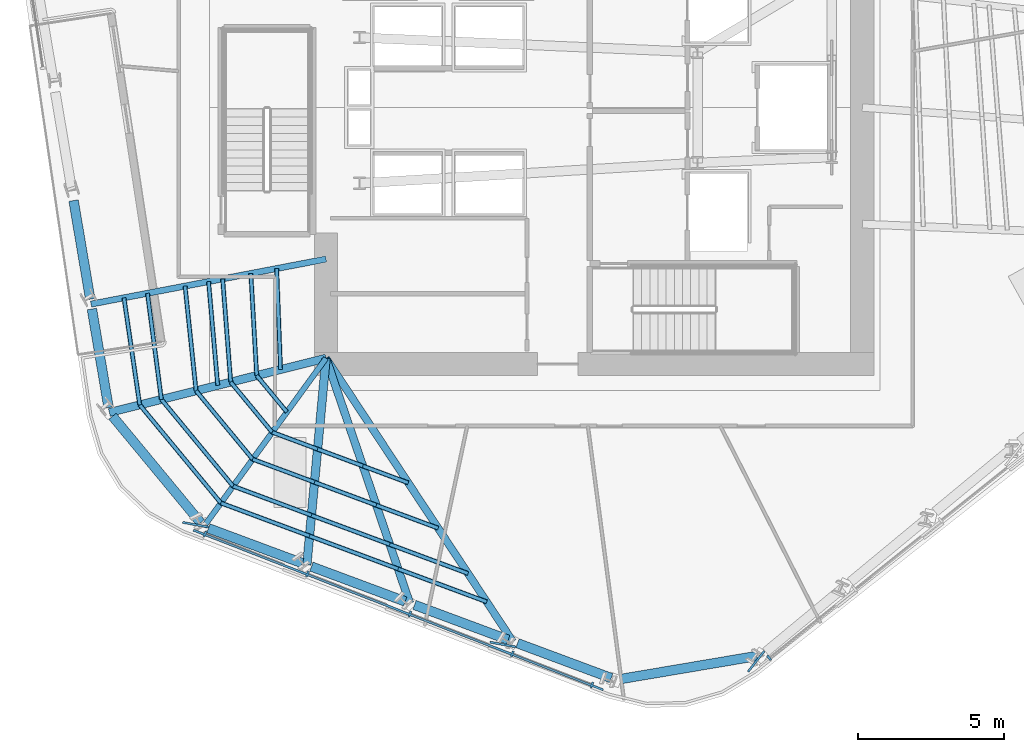
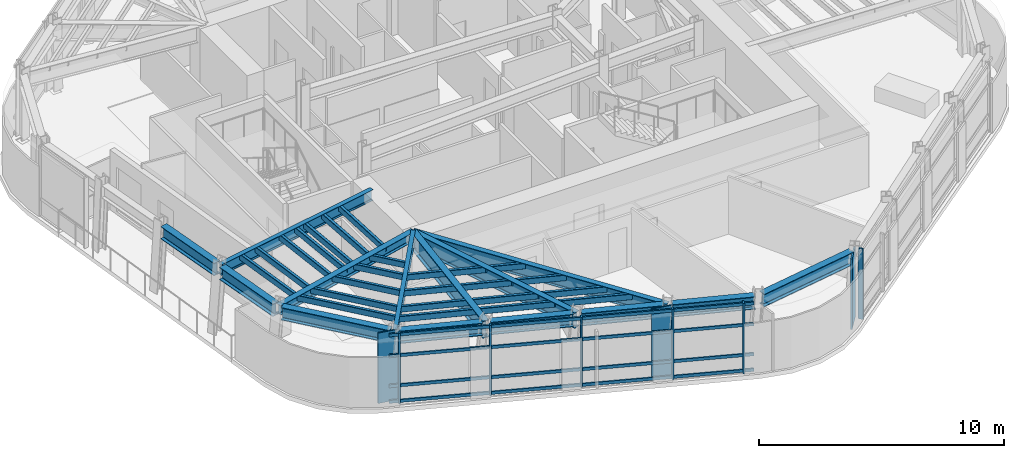
# One storey, part 2 of 15: 37 members, 14 beams, 2 elements without a shape of their own.
"""IFC4 building model written with IfcOpenShell, lengths in metres."""

from ifc_helpers import new_model, si_unit, direction, frame, origin, origin_2d, place, context, subcontext, project, spatial, rectangle, hollow_rectangle, i_section, extrude, material, layer, layer_set, material_profile, profile_set, type_object, element, aggregate, save


model = new_model("IFC4")

# Units and contexts
model_context = context("Model", 3, precision=1e-05, world=origin(), true_north=direction((0.0, 1.0)))
body_context = subcontext(model_context, "Body", "Model", "MODEL_VIEW")
ifc_project = project(units=[si_unit("LENGTHUNIT", "METRE"), si_unit("AREAUNIT", "SQUARE_METRE"), si_unit("VOLUMEUNIT", "CUBIC_METRE"), si_unit("PLANEANGLEUNIT", "RADIAN"), si_unit("MASSUNIT", "GRAM", prefix="KILO")], contexts=[model_context])

# Site, building, storey
site_placement = place(None, origin())
site = spatial("IfcSite", under=ifc_project, at=site_placement, CompositionType="ELEMENT")
building_placement = place(site_placement, origin())
building = spatial("IfcBuilding", under=site, at=building_placement, Name="Valkerne Bourse Tower", CompositionType="ELEMENT")
storey_placement = place(building_placement, frame((0.0, 0.0, 189.39990234375)))
storey = spatial("IfcBuildingStorey", under=building, at=storey_placement, Name="L48", CompositionType="ELEMENT", Elevation=189.39990234375)

# Beams
ifc_material_1 = material(Name="Steel ASTM A992", Category="steel")
ifc_material_profile_1 = material_profile(ifc_material_1, i_section(OverallWidth=0.1904296875, OverallDepth=0.457275390625, WebThickness=0.009033203125, FlangeThickness=0.014404296875, FilletRadius=0.01513671875, at=origin_2d()), Name="W18X50")
ifc_profile_set_1 = profile_set([ifc_material_profile_1], Name="Steel ASTM A992")
beam_type_1 = type_object("IfcBeamType", Name="BM-W18X50", PredefinedType="JOIST", material=ifc_profile_set_1)
beam_1_placement = place(storey_placement, frame((33.40673828125, 12.62353515625, 3.29150390625), z_axis=(0.587471886221, 0.809244575453, 0.0), x_axis=(-0.809244575453, 0.587471886221, 0.0)))
element("IfcBeam", 1, at=beam_1_placement, inside=storey, type_object=beam_type_1, Name="L48 Radial Composite Floor Beam 15", PredefinedType="JOIST", context=body_context, shape_type="SweptSolid", body=[
    extrude(i_section(OverallWidth=0.1904296875, OverallDepth=0.457275390625, WebThickness=0.009033203125, FlangeThickness=0.014404296875, FilletRadius=0.01513671875, at=origin_2d()), origin(), (0.0, 0.0, 1.0), 7.137939453125),
])
ifc_material_profile_2 = material_profile(ifc_material_1, i_section(OverallWidth=0.279296875, OverallDepth=0.46240234375, WebThickness=0.0107421875, FlangeThickness=0.017333984375, FilletRadius=0.017822265625, at=origin_2d()), Name="W18X76")
ifc_profile_set_2 = profile_set([ifc_material_profile_2], Name="Steel ASTM A992")
beam_type_2 = type_object("IfcBeamType", Name="BM-W18X76", PredefinedType="BEAM", material=ifc_profile_set_2)
beam_2_placement = place(storey_placement, frame((30.168701171875, 16.537841796875, 3.288818359375), z_axis=(0.97001301787, 0.243052967814, 0.0), x_axis=(-0.243052967814, 0.97001301787, 0.0)))
element("IfcBeam", 2, at=beam_2_placement, inside=storey, type_object=beam_type_2, Name="L48 Radial Composite Floor Beam 14", PredefinedType="BEAM", context=body_context, shape_type="SweptSolid", body=[
    extrude(i_section(OverallWidth=0.279296875, OverallDepth=0.46240234375, WebThickness=0.0107421875, FlangeThickness=0.017333984375, FilletRadius=0.017822265625, at=origin_2d()), origin(), (0.0, 0.0, 1.0), 7.6611328125),
])
ifc_material_profile_3 = material_profile(ifc_material_1, i_section(OverallWidth=0.209228515625, OverallDepth=0.533447265625, WebThickness=0.01025390625, FlangeThickness=0.015625, FilletRadius=0.017822265625, at=origin_2d()), Name="W21X62")
ifc_profile_set_3 = profile_set([ifc_material_profile_3], Name="Steel ASTM A992")
beam_type_3 = type_object("IfcBeamType", Name="BM-W21X62", PredefinedType="JOIST", material=ifc_profile_set_3)
beam_3_placement = place(storey_placement, frame((29.539794921875, 20.256103515625, 3.25341796875), z_axis=(0.982144317136, 0.188129052296, 0.0), x_axis=(-0.188129052296, 0.982144317136, 0.0)))
element("IfcBeam", 3, at=beam_3_placement, inside=storey, type_object=beam_type_3, Name="L48 Radial Composite Floor Beam 13", PredefinedType="JOIST", context=body_context, shape_type="SweptSolid", body=[
    extrude(i_section(OverallWidth=0.209228515625, OverallDepth=0.533447265625, WebThickness=0.01025390625, FlangeThickness=0.015625, FilletRadius=0.017822265625, at=origin_2d()), origin(), (0.0, 0.0, 1.0), 8.206787109375),
])
ifc_material_profile_4 = material_profile(ifc_material_1, i_section(OverallWidth=0.32763671875, OverallDepth=0.62744140625, WebThickness=0.0166015625, FlangeThickness=0.027587890625, FilletRadius=0.020263671875, at=origin_2d()), Name="W24X146")
ifc_profile_set_4 = profile_set([ifc_material_profile_4], Name="Steel ASTM A992")
beam_type_4 = type_object("IfcBeamType", Name="BM-W24X146", PredefinedType="SPANDREL", material=ifc_profile_set_4)
beam_4_placement = place(storey_placement, frame((28.939208984375, 23.806640625, 3.206298828125), z_axis=(0.166717824324, -0.986004648596, 0.0), x_axis=(0.986004648596, 0.166717824324, 0.0)))
element("IfcBeam", 4, at=beam_4_placement, inside=storey, type_object=beam_type_4, Name="L48 Hexagonal Spandrel Ring Beam 12", PredefinedType="SPANDREL", context=body_context, shape_type="SweptSolid", body=[
    extrude(i_section(OverallWidth=0.32763671875, OverallDepth=0.62744140625, WebThickness=0.0166015625, FlangeThickness=0.027587890625, FilletRadius=0.020263671875, at=origin_2d()), origin(), (0.0, 0.0, 1.0), 3.43115234375),
])
beam_5_placement = place(storey_placement, frame((29.568115234375, 20.08837890625, 3.206298828125), z_axis=(0.166729522032, -0.986002670627, 0.0), x_axis=(0.986002670627, 0.166729522032, 0.0)))
element("IfcBeam", 5, at=beam_5_placement, inside=storey, type_object=beam_type_4, Name="L48 Hexagonal Spandrel Ring Beam 13", PredefinedType="SPANDREL", context=body_context, shape_type="SweptSolid", body=[
    extrude(i_section(OverallWidth=0.32763671875, OverallDepth=0.62744140625, WebThickness=0.0166015625, FlangeThickness=0.027587890625, FilletRadius=0.020263671875, at=origin_2d()), origin(), (0.0, 0.0, 1.0), 3.430908203125),
])
beam_6_placement = place(storey_placement, frame((30.277099609375, 16.406982421875, 3.206298828125), z_axis=(0.637393767705, -0.770538243626, 0.0), x_axis=(0.770538243626, 0.637393767705, 0.0)))
element("IfcBeam", 6, at=beam_6_placement, inside=storey, type_object=beam_type_4, Name="L48 Hexagonal Spandrel Ring Beam 14", PredefinedType="SPANDREL", context=body_context, shape_type="SweptSolid", body=[
    extrude(i_section(OverallWidth=0.32763671875, OverallDepth=0.62744140625, WebThickness=0.0166015625, FlangeThickness=0.027587890625, FilletRadius=0.020263671875, at=origin_2d()), origin(), (0.0, 0.0, 1.0), 4.739990234375),
])
for number, where, z_axis, x_axis, name in (
    (7, (33.566162109375, 12.564208984375, 3.206298828125), (0.937296469693, -0.348533108758, 0.0), (0.348533108758, 0.937296469693, 0.0), "L48 Hexagonal Spandrel Ring Beam 15"),
    (8, (37.1005859375, 11.249755859375, 3.206298828125), (0.937296469693, -0.348533108758, 0.0), (0.348533108758, 0.937296469693, 0.0), "L48 Hexagonal Spandrel Ring Beam 16"),
):
    element("IfcBeam", number, at=place(storey_placement, frame(where, z_axis=z_axis, x_axis=x_axis)), inside=storey, type_object=beam_type_4, Name=name, PredefinedType="SPANDREL", context=body_context, shape_type="SweptSolid", body=[
        extrude(i_section(OverallWidth=0.32763671875, OverallDepth=0.62744140625, WebThickness=0.0166015625, FlangeThickness=0.027587890625, FilletRadius=0.020263671875, at=origin_2d()), origin(), (0.0, 0.0, 1.0), 3.430908203125),
    ])
beam_7_placement = place(storey_placement, frame((40.635009765625, 9.935302734375, 3.206298828125), z_axis=(0.9373051128, -0.348509864305, 0.0), x_axis=(0.348509864305, 0.9373051128, 0.0)))
element("IfcBeam", 9, at=beam_7_placement, inside=storey, type_object=beam_type_4, Name="L48 Hexagonal Spandrel Ring Beam 17", PredefinedType="SPANDREL", context=body_context, shape_type="SweptSolid", body=[
    extrude(i_section(OverallWidth=0.32763671875, OverallDepth=0.62744140625, WebThickness=0.0166015625, FlangeThickness=0.027587890625, FilletRadius=0.020263671875, at=origin_2d()), origin(), (0.0, 0.0, 1.0), 3.43115234375),
])
beam_8_placement = place(storey_placement, frame((44.169677734375, 8.620849609375, 3.206298828125), z_axis=(0.937296469693, -0.348533108758, 0.0), x_axis=(0.348533108758, 0.937296469693, 0.0)))
element("IfcBeam", 10, at=beam_8_placement, inside=storey, type_object=beam_type_4, Name="L48 Hexagonal Spandrel Ring Beam 18", PredefinedType="SPANDREL", context=body_context, shape_type="SweptSolid", body=[
    extrude(i_section(OverallWidth=0.32763671875, OverallDepth=0.62744140625, WebThickness=0.0166015625, FlangeThickness=0.027587890625, FilletRadius=0.020263671875, at=origin_2d()), origin(), (0.0, 0.0, 1.0), 3.430908203125),
])
beam_9_placement = place(storey_placement, frame((47.71240234375, 7.39404296875, 3.206298828125), z_axis=(0.985994310057, 0.16677895711, 0.0), x_axis=(-0.16677895711, 0.985994310057, 0.0)))
element("IfcBeam", 11, at=beam_9_placement, inside=storey, type_object=beam_type_4, Name="L48 Hexagonal Spandrel Ring Beam 19", PredefinedType="SPANDREL", context=body_context, shape_type="SweptSolid", body=[
    extrude(i_section(OverallWidth=0.32763671875, OverallDepth=0.62744140625, WebThickness=0.0166015625, FlangeThickness=0.027587890625, FilletRadius=0.020263671875, at=origin_2d()), origin(), (0.0, 0.0, 1.0), 4.739990234375),
])
ifc_material_profile_5 = material_profile(ifc_material_1, i_section(OverallWidth=0.255859375, OverallDepth=0.693359375, WebThickness=0.014404296875, FlangeThickness=0.023681640625, FilletRadius=0.02294921875, at=origin_2d()), Name="W27X114")
ifc_profile_set_5 = profile_set([ifc_material_profile_5], Name="Steel ASTM A992")
beam_type_5 = type_object("IfcBeamType", Name="BM-W27X114", PredefinedType="BEAM", material=ifc_profile_set_5)
beam_10_placement = place(storey_placement, frame((44.01025390625, 8.68017578125, 3.17333984375), z_axis=(-0.550551220378, 0.834801385804, 0.0), x_axis=(-0.834801385804, -0.550551220378, 0.0)))
element("IfcBeam", 12, at=beam_10_placement, inside=storey, type_object=beam_type_5, Name="L48 Radial Composite Floor Beam 18", PredefinedType="BEAM", context=body_context, shape_type="SweptSolid", body=[
    extrude(i_section(OverallWidth=0.255859375, OverallDepth=0.693359375, WebThickness=0.014404296875, FlangeThickness=0.023681640625, FilletRadius=0.02294921875, at=origin_2d()), origin(), (0.0, 0.0, 1.0), 11.64306640625),
])
ifc_material_profile_6 = material_profile(ifc_material_1, i_section(OverallWidth=0.26806640625, OverallDepth=0.76953125, WebThickness=0.015625, FlangeThickness=0.025390625, FilletRadius=0.025390625, at=origin_2d()), Name="W30X132")
ifc_profile_set_6 = profile_set([ifc_material_profile_6], Name="Steel ASTM A992")
beam_type_6 = type_object("IfcBeamType", Name="BM-W30X132", PredefinedType="BEAM", material=ifc_profile_set_6)
beam_11_placement = place(storey_placement, frame((40.475830078125, 9.99462890625, 3.13525390625), z_axis=(-0.323712281699, 0.946155567905, 0.0), x_axis=(-0.946155567905, -0.323712281699, 0.0)))
element("IfcBeam", 13, at=beam_11_placement, inside=storey, type_object=beam_type_6, Name="L48 Radial Composite Floor Beam 17", PredefinedType="BEAM", context=body_context, shape_type="SweptSolid", body=[
    extrude(i_section(OverallWidth=0.26806640625, OverallDepth=0.76953125, WebThickness=0.015625, FlangeThickness=0.025390625, FilletRadius=0.025390625, at=origin_2d()), origin(), (0.0, 0.0, 1.0), 8.883544921875),
])
ifc_material_profile_7 = material_profile(ifc_material_1, i_section(OverallWidth=0.2919921875, OverallDepth=0.8583984375, WebThickness=0.01708984375, FlangeThickness=0.031005859375, FilletRadius=0.025390625, at=origin_2d()), Name="W33X169")
ifc_profile_set_7 = profile_set([ifc_material_profile_7], Name="Steel ASTM A992")
beam_type_7 = type_object("IfcBeamType", Name="BM-W33X169", PredefinedType="BEAM", material=ifc_profile_set_7)
beam_12_placement = place(storey_placement, frame((36.94140625, 11.30908203125, 3.0908203125), z_axis=(0.092495317323, 0.995713119464, 0.0), x_axis=(-0.995713119464, 0.092495317323, 0.0)))
element("IfcBeam", 14, at=beam_12_placement, inside=storey, type_object=beam_type_7, Name="L48 Radial Composite Floor Beam 16", PredefinedType="BEAM", context=body_context, shape_type="SweptSolid", body=[
    extrude(i_section(OverallWidth=0.2919921875, OverallDepth=0.8583984375, WebThickness=0.01708984375, FlangeThickness=0.031005859375, FilletRadius=0.025390625, at=origin_2d()), origin(), (0.0, 0.0, 1.0), 7.121337890625),
])

# Curtain wall, members
ifc_material_2 = material(Name="Aluminium AA 6063-T6", Category="aluminium")
ifc_layer = layer(ifc_material_2, 0.235107421875)
ifc_layer_set = layer_set([ifc_layer], Name="Aluminium AA 6063-T6")
curtain_wall_type = type_object("IfcCurtainWallType", Name="CW-03", PredefinedType="NOTDEFINED", material=ifc_layer_set)
curtain_wall_1_placement = place(storey_placement, origin())
curtain_wall_1 = element("IfcCurtainWall", 15, at=curtain_wall_1_placement, inside=storey, type_object=curtain_wall_type, Name="L48 Hexagonal Stick Curtain Wall Face 4", PredefinedType="NOTDEFINED")
ifc_material_profile_8 = material_profile(ifc_material_2, rectangle(XDim=0.074951171875, YDim=0.199951171875, at=origin_2d()), Name="CWM-75X200")
ifc_profile_set_8 = profile_set([ifc_material_profile_8], Name="Aluminium AA 6063-T6")
member_type_1 = type_object("IfcMemberType", Name="CW-MUL-220X75", PredefinedType="MULLION", material=ifc_profile_set_8)
member_1_placement = place(storey_placement, frame((33.450439453125, 12.366455078125, 0.0), z_axis=(0.0, 0.0, 1.0), x_axis=(0.931683816039, -0.363270239534, 0.0)))
member_1 = element("IfcMember", 16, at=member_1_placement, type_object=member_type_1, Name="CW-L48-F4 Jamb Mullion 00A", PredefinedType="MULLION", context=body_context, shape_type="SweptSolid", body=[
    extrude(rectangle(XDim=0.074951171875, YDim=0.199951171875, at=origin_2d()), origin(), (0.0, 0.0, 1.0), 3.52001953125),
])
member_2_placement = place(storey_placement, frame((36.9638671875, 10.99658203125, 0.0), z_axis=(0.0, 0.0, 1.0), x_axis=(0.93169279094, -0.36324722065, 0.0)))
member_2 = element("IfcMember", 17, at=member_2_placement, type_object=member_type_1, Name="CW-L48-F4 Jamb Mullion 01A", PredefinedType="MULLION", context=body_context, shape_type="SweptSolid", body=[
    extrude(rectangle(XDim=0.074951171875, YDim=0.199951171875, at=origin_2d()), origin(), (0.0, 0.0, 1.0), 3.52001953125),
])
member_3_placement = place(storey_placement, frame((40.477294921875, 9.626708984375, 0.0), z_axis=(0.0, 0.0, 1.0), x_axis=(0.931696289859, -0.363238246145, 0.0)))
member_3 = element("IfcMember", 18, at=member_3_placement, type_object=member_type_1, Name="CW-L48-F4 Jamb Mullion 02A", PredefinedType="MULLION", context=body_context, shape_type="SweptSolid", body=[
    extrude(rectangle(XDim=0.074951171875, YDim=0.199951171875, at=origin_2d()), origin(), (0.0, 0.0, 1.0), 3.52001953125),
])
member_4_placement = place(storey_placement, frame((43.99072265625, 8.257080078125, 0.0), z_axis=(0.0, 0.0, 1.0), x_axis=(0.93169279094, -0.36324722065, 0.0)))
member_4 = element("IfcMember", 19, at=member_4_placement, type_object=member_type_1, Name="CW-L48-F4 Jamb Mullion 03A", PredefinedType="MULLION", context=body_context, shape_type="SweptSolid", body=[
    extrude(rectangle(XDim=0.074951171875, YDim=0.199951171875, at=origin_2d()), origin(), (0.0, 0.0, 1.0), 3.52001953125),
])
member_5_placement = place(storey_placement, frame((46.721435546875, 7.1923828125, 0.0), z_axis=(0.0, 0.0, 1.0), x_axis=(0.93169279094, -0.36324722065, 0.0)))
member_5 = element("IfcMember", 20, at=member_5_placement, type_object=member_type_1, Name="CW-L48-F4 Jamb Mullion 03B", PredefinedType="MULLION", context=body_context, shape_type="SweptSolid", body=[
    extrude(rectangle(XDim=0.074951171875, YDim=0.199951171875, at=origin_2d()), origin(), (0.0, 0.0, 1.0), 3.52001953125),
])

# Curtain wall, member
curtain_wall_2_placement = place(storey_placement, origin())
curtain_wall_2 = element("IfcCurtainWall", 21, at=curtain_wall_2_placement, inside=storey, type_object=curtain_wall_type, Name="L48 Hexagonal Stick Curtain Wall Face 5", PredefinedType="NOTDEFINED")
member_6_placement = place(storey_placement, frame((52.79833984375, 8.122314453125, 0.0), z_axis=(0.0, 0.0, 1.0), x_axis=(0.780428802886, 0.625244659014, 0.0)))
member_6 = element("IfcMember", 22, at=member_6_placement, type_object=member_type_1, Name="CW-L48-F5 Jamb Mullion 00A", PredefinedType="MULLION", context=body_context, shape_type="SweptSolid", body=[
    extrude(rectangle(XDim=0.074951171875, YDim=0.199951171875, at=origin_2d()), origin(), (0.0, 0.0, 1.0), 3.52001953125),
])
aggregate(curtain_wall_2, [member_6])

# Member
ifc_material_profile_9 = material_profile(ifc_material_2, rectangle(XDim=0.074951171875, YDim=0.14990234375, at=origin_2d()), Name="CWT-75X150")
ifc_profile_set_9 = profile_set([ifc_material_profile_9], Name="Aluminium AA 6063-T6")
member_type_2 = type_object("IfcMemberType", Name="CW-TRN-180X65", PredefinedType="USERDEFINED", material=ifc_profile_set_9)
member_7_placement = place(storey_placement, frame((33.0517578125, 12.50048828125, 0.1201171875), z_axis=(0.931687205605, -0.36326154615, 0.0), x_axis=(0.36326154615, 0.931687205605, 0.0)))
member_7 = element("IfcMember", 23, at=member_7_placement, type_object=member_type_2, Name="CW-L48-F4 Continuous Face Transom 1", ObjectType="TRANSOM", PredefinedType="USERDEFINED", context=body_context, shape_type="SweptSolid", body=[
    extrude(rectangle(XDim=0.074951171875, YDim=0.14990234375, at=origin_2d()), origin(), (0.0, 0.0, 1.0), 15.084228515625),
])

member_8_placement = place(storey_placement, frame((33.0517578125, 12.50048828125, 0.900146484375), z_axis=(0.931687205605, -0.36326154615, 0.0), x_axis=(0.36326154615, 0.931687205605, 0.0)))
member_8 = element("IfcMember", 24, at=member_8_placement, type_object=member_type_2, Name="CW-L48-F4 Continuous Face Transom 2", ObjectType="TRANSOM", PredefinedType="USERDEFINED", context=body_context, shape_type="SweptSolid", body=[
    extrude(rectangle(XDim=0.074951171875, YDim=0.14990234375, at=origin_2d()), origin(), (0.0, 0.0, 1.0), 15.084228515625),
])

member_9_placement = place(storey_placement, frame((33.0517578125, 12.50048828125, 2.400146484375), z_axis=(0.931687205605, -0.36326154615, 0.0), x_axis=(0.36326154615, 0.931687205605, 0.0)))
member_9 = element("IfcMember", 25, at=member_9_placement, type_object=member_type_2, Name="CW-L48-F4 Continuous Face Transom 3", ObjectType="TRANSOM", PredefinedType="USERDEFINED", context=body_context, shape_type="SweptSolid", body=[
    extrude(rectangle(XDim=0.074951171875, YDim=0.14990234375, at=origin_2d()), origin(), (0.0, 0.0, 1.0), 15.084228515625),
])

member_10_placement = place(storey_placement, frame((33.0517578125, 12.50048828125, 3.440185546875), z_axis=(0.931687205605, -0.36326154615, 0.0), x_axis=(0.36326154615, 0.931687205605, 0.0)))
member_10 = element("IfcMember", 26, at=member_10_placement, type_object=member_type_2, Name="CW-L48-F4 Continuous Face Transom 4", ObjectType="TRANSOM", PredefinedType="USERDEFINED", context=body_context, shape_type="SweptSolid", body=[
    extrude(rectangle(XDim=0.074951171875, YDim=0.14990234375, at=origin_2d()), origin(), (0.0, 0.0, 1.0), 15.084228515625),
])

aggregate(curtain_wall_1, [member_7, member_8, member_9, member_10, member_1, member_2, member_3, member_4, member_5])

# Members
ifc_material_3 = material(Name="Bronze Anodised Aluminium AA 6063-T6", Category="aluminium")
ifc_material_profile_10 = material_profile(ifc_material_3, rectangle(XDim=0.070068359375, YDim=0.89990234375, at=origin_2d()), Name="FIN-70X900")
ifc_profile_set_10 = profile_set([ifc_material_profile_10], Name="Bronze Anodised Aluminium AA 6063-T6")
member_type_3 = type_object("IfcMemberType", Name="FIN-SOLAR-900", PredefinedType="USERDEFINED", material=ifc_profile_set_10)
for number, where, z_axis, x_axis, name in (
    (27, (33.12451171875, 12.686767578125, 0.004150390625), (0.0, 0.0, 1.0), (-0.181679255391, -0.983357843392, 0.0), "L48 Bronze Anodised Solar Fin F4-00"),
    (28, (43.664794921875, 8.5771484375, 0.004150390625), (0.0, 0.0, 1.0), (-0.18165119975, -0.983363026369, 0.0), "L48 Bronze Anodised Solar Fin F4-03"),
    (29, (52.35791015625, 8.0, 0.004150390625), (0.0, 0.0, 1.0), (0.785817504376, -0.618458446314, 0.0), "L48 Bronze Anodised Solar Fin F5-00"),
):
    element("IfcMember", number, at=place(storey_placement, frame(where, z_axis=z_axis, x_axis=x_axis)), inside=storey, type_object=member_type_3, Name=name, ObjectType="SOLAR_FIN", PredefinedType="USERDEFINED", context=body_context, shape_type="SweptSolid", body=[
        extrude(rectangle(XDim=0.070068359375, YDim=0.89990234375, at=origin_2d()), origin(), (0.0, 0.0, 1.0), 3.511962890625),
    ])
ifc_material_4 = material(Name="Steel ASTM A500 Grade C", Category="steel")
ifc_material_profile_11 = material_profile(ifc_material_4, hollow_rectangle(XDim=0.14990234375, YDim=0.300048828125, WallThickness=0.012451171875, OuterFilletRadius=0.02490234375, at=origin_2d()), Name="HSS300X150X12.5")
ifc_profile_set_11 = profile_set([ifc_material_profile_11], Name="Steel ASTM A500 Grade C")
member_type_4 = type_object("IfcMemberType", Name="MBR-HSS300X150X12.5", PredefinedType="PURLIN", material=ifc_profile_set_11)
member_11_placement = place(storey_placement, frame((35.020751953125, 21.305908203125, 3.360107421875), z_axis=(0.05735505594, -0.998353843864, 0.0), x_axis=(0.998353843864, 0.05735505594, 0.0)))
element("IfcMember", 30, at=member_11_placement, inside=storey, type_object=member_type_4, Name="L48 Secondary Composite Floor Purlin I-13", PredefinedType="PURLIN", context=body_context, shape_type="SweptSolid", body=[
    extrude(hollow_rectangle(XDim=0.14990234375, YDim=0.300048828125, WallThickness=0.012451171875, OuterFilletRadius=0.02490234375, at=origin_2d()), origin(), (0.0, 0.0, 1.0), 3.507568359375),
])
member_12_placement = place(storey_placement, frame((35.221923828125, 17.80419921875, 3.360107421875), z_axis=(0.637447850334, -0.77049350296, 0.0), x_axis=(0.77049350296, 0.637447850334, 0.0)))
element("IfcMember", 31, at=member_12_placement, inside=storey, type_object=member_type_4, Name="L48 Secondary Composite Floor Purlin I-14", PredefinedType="PURLIN", context=body_context, shape_type="SweptSolid", body=[
    extrude(hollow_rectangle(XDim=0.14990234375, YDim=0.300048828125, WallThickness=0.012451171875, OuterFilletRadius=0.02490234375, at=origin_2d()), origin(), (0.0, 0.0, 1.0), 1.625732421875),
])
member_13_placement = place(storey_placement, frame((34.053466796875, 21.12060546875, 3.360107421875), z_axis=(0.077905821027, -0.996960722922, 0.0), x_axis=(0.996960722922, 0.077905821027, 0.0)))
element("IfcMember", 32, at=member_13_placement, inside=storey, type_object=member_type_4, Name="L48 Secondary Composite Floor Purlin K-13", PredefinedType="PURLIN", context=body_context, shape_type="SweptSolid", body=[
    extrude(hollow_rectangle(XDim=0.14990234375, YDim=0.300048828125, WallThickness=0.012451171875, OuterFilletRadius=0.02490234375, at=origin_2d()), origin(), (0.0, 0.0, 1.0), 3.550537109375),
])
member_14_placement = place(storey_placement, frame((34.330078125, 17.580810546875, 3.360107421875), z_axis=(0.637397820576, -0.77053489105, 0.0), x_axis=(0.77053489105, 0.637397820576, 0.0)))
element("IfcMember", 33, at=member_14_placement, inside=storey, type_object=member_type_4, Name="L48 Secondary Composite Floor Purlin K-14", PredefinedType="PURLIN", context=body_context, shape_type="SweptSolid", body=[
    extrude(hollow_rectangle(XDim=0.14990234375, YDim=0.300048828125, WallThickness=0.012451171875, OuterFilletRadius=0.02490234375, at=origin_2d()), origin(), (0.0, 0.0, 1.0), 2.2353515625),
])
member_15_placement = place(storey_placement, frame((35.7548828125, 15.8583984375, 3.360107421875), z_axis=(0.937298987282, -0.348526338231, 0.0), x_axis=(0.348526338231, 0.937298987282, 0.0)))
element("IfcMember", 34, at=member_15_placement, inside=storey, type_object=member_type_4, Name="L48 Secondary Composite Floor Purlin K-15", PredefinedType="PURLIN", context=body_context, shape_type="SweptSolid", body=[
    extrude(hollow_rectangle(XDim=0.14990234375, YDim=0.300048828125, WallThickness=0.012451171875, OuterFilletRadius=0.02490234375, at=origin_2d()), origin(), (0.0, 0.0, 1.0), 1.659423828125),
])
member_16_placement = place(storey_placement, frame((37.310302734375, 15.280029296875, 3.360107421875), z_axis=(0.937281112877, -0.348574404459, 0.0), x_axis=(0.348574404459, 0.937281112877, 0.0)))
element("IfcMember", 35, at=member_16_placement, inside=storey, type_object=member_type_4, Name="L48 Secondary Composite Floor Purlin K-16", PredefinedType="PURLIN", context=body_context, shape_type="SweptSolid", body=[
    extrude(hollow_rectangle(XDim=0.14990234375, YDim=0.300048828125, WallThickness=0.012451171875, OuterFilletRadius=0.02490234375, at=origin_2d()), origin(), (0.0, 0.0, 1.0), 1.6591796875),
])
member_17_placement = place(storey_placement, frame((38.865478515625, 14.70166015625, 3.360107421875), z_axis=(0.937263231075, -0.34862248303, 0.0), x_axis=(0.34862248303, 0.937263231075, 0.0)))
element("IfcMember", 36, at=member_17_placement, inside=storey, type_object=member_type_4, Name="L48 Secondary Composite Floor Purlin K-17", PredefinedType="PURLIN", context=body_context, shape_type="SweptSolid", body=[
    extrude(hollow_rectangle(XDim=0.14990234375, YDim=0.300048828125, WallThickness=0.012451171875, OuterFilletRadius=0.02490234375, at=origin_2d()), origin(), (0.0, 0.0, 1.0), 1.658935546875),
])
member_18_placement = place(storey_placement, frame((33.56982421875, 21.028076171875, 3.360107421875), z_axis=(0.088009472727, -0.99611963775, 0.0), x_axis=(0.99611963775, 0.088009472727, 0.0)))
element("IfcMember", 37, at=member_18_placement, inside=storey, type_object=member_type_4, Name="L48 Secondary Composite Floor Purlin M-13", PredefinedType="PURLIN", context=body_context, shape_type="SweptSolid", body=[
    extrude(hollow_rectangle(XDim=0.14990234375, YDim=0.300048828125, WallThickness=0.012451171875, OuterFilletRadius=0.02490234375, at=origin_2d()), origin(), (0.0, 0.0, 1.0), 3.572998046875),
])
member_19_placement = place(storey_placement, frame((31.47412109375, 20.626708984375, 3.360107421875), z_axis=(0.130143299042, -0.991495195003, 0.0), x_axis=(0.991495195003, 0.130143299042, 0.0)))
element("IfcMember", 38, at=member_19_placement, inside=storey, type_object=member_type_4, Name="L48 Secondary Composite Floor Purlin O-13", PredefinedType="PURLIN", context=body_context, shape_type="SweptSolid", body=[
    extrude(hollow_rectangle(XDim=0.14990234375, YDim=0.300048828125, WallThickness=0.012451171875, OuterFilletRadius=0.02490234375, at=origin_2d()), origin(), (0.0, 0.0, 1.0), 3.673095703125),
])
member_20_placement = place(storey_placement, frame((31.9521484375, 16.98486328125, 3.360107421875), z_axis=(0.637412401826, -0.770522828993, 0.0), x_axis=(0.770522828993, 0.637412401826, 0.0)))
element("IfcMember", 39, at=member_20_placement, inside=storey, type_object=member_type_4, Name="L48 Secondary Composite Floor Purlin O-14", PredefinedType="PURLIN", context=body_context, shape_type="SweptSolid", body=[
    extrude(hollow_rectangle(XDim=0.14990234375, YDim=0.300048828125, WallThickness=0.012451171875, OuterFilletRadius=0.02490234375, at=origin_2d()), origin(), (0.0, 0.0, 1.0), 3.86083984375),
])
for number, where, z_axis, x_axis, name in (
    (40, (34.4130859375, 14.010009765625, 3.360107421875), (0.937281405601, -0.348573617352, 0.0), (0.348573617352, 0.937281405601, 0.0), "L48 Secondary Composite Floor Purlin O-15"),
    (41, (37.099365234375, 13.010986328125, 3.360107421875), (0.937281405601, -0.348573617352, 0.0), (0.348573617352, 0.937281405601, 0.0), "L48 Secondary Composite Floor Purlin O-16"),
):
    element("IfcMember", number, at=place(storey_placement, frame(where, z_axis=z_axis, x_axis=x_axis)), inside=storey, type_object=member_type_4, Name=name, PredefinedType="PURLIN", context=body_context, shape_type="SweptSolid", body=[
        extrude(hollow_rectangle(XDim=0.14990234375, YDim=0.300048828125, WallThickness=0.012451171875, OuterFilletRadius=0.02490234375, at=origin_2d()), origin(), (0.0, 0.0, 1.0), 2.865966796875),
    ])
member_21_placement = place(storey_placement, frame((39.78564453125, 12.011962890625, 3.360107421875), z_axis=(0.937271054182, -0.348601450074, 0.0), x_axis=(0.348601450074, 0.937271054182, 0.0)))
element("IfcMember", 42, at=member_21_placement, inside=storey, type_object=member_type_4, Name="L48 Secondary Composite Floor Purlin O-17", PredefinedType="PURLIN", context=body_context, shape_type="SweptSolid", body=[
    extrude(hollow_rectangle(XDim=0.14990234375, YDim=0.300048828125, WallThickness=0.012451171875, OuterFilletRadius=0.02490234375, at=origin_2d()), origin(), (0.0, 0.0, 1.0), 2.86572265625),
])
member_22_placement = place(storey_placement, frame((32.763916015625, 20.873779296875, 3.360107421875), z_axis=(0.104463046284, -0.994528768795, 0.0), x_axis=(0.994528768795, 0.104463046284, 0.0)))
element("IfcMember", 43, at=member_22_placement, inside=storey, type_object=member_type_4, Name="L48 Secondary Composite Floor Purlin Z-13", PredefinedType="PURLIN", context=body_context, shape_type="SweptSolid", body=[
    extrude(hollow_rectangle(XDim=0.14990234375, YDim=0.300048828125, WallThickness=0.012451171875, OuterFilletRadius=0.02490234375, at=origin_2d()), origin(), (0.0, 0.0, 1.0), 3.61083984375),
])
member_23_placement = place(storey_placement, frame((33.14111328125, 17.28271484375, 3.360107421875), z_axis=(0.637407055194, -0.770527251944, 0.0), x_axis=(0.770527251944, 0.637407055194, 0.0)))
element("IfcMember", 44, at=member_23_placement, inside=storey, type_object=member_type_4, Name="L48 Secondary Composite Floor Purlin Z-14", PredefinedType="PURLIN", context=body_context, shape_type="SweptSolid", body=[
    extrude(hollow_rectangle(XDim=0.14990234375, YDim=0.300048828125, WallThickness=0.012451171875, OuterFilletRadius=0.02490234375, at=origin_2d()), origin(), (0.0, 0.0, 1.0), 3.048095703125),
])
member_24_placement = place(storey_placement, frame((35.083984375, 14.93408203125, 3.360107421875), z_axis=(0.937305476683, -0.348508885655, 0.0), x_axis=(0.348508885655, 0.937305476683, 0.0)))
element("IfcMember", 45, at=member_24_placement, inside=storey, type_object=member_type_4, Name="L48 Secondary Composite Floor Purlin Z-15", PredefinedType="PURLIN", context=body_context, shape_type="SweptSolid", body=[
    extrude(hollow_rectangle(XDim=0.14990234375, YDim=0.300048828125, WallThickness=0.012451171875, OuterFilletRadius=0.02490234375, at=origin_2d()), origin(), (0.0, 0.0, 1.0), 2.2626953125),
])
member_25_placement = place(storey_placement, frame((37.204833984375, 14.1455078125, 3.360107421875), z_axis=(0.937257113812, -0.348638928705, 0.0), x_axis=(0.348638928705, 0.937257113812, 0.0)))
element("IfcMember", 46, at=member_25_placement, inside=storey, type_object=member_type_4, Name="L48 Secondary Composite Floor Purlin Z-16", PredefinedType="PURLIN", context=body_context, shape_type="SweptSolid", body=[
    extrude(hollow_rectangle(XDim=0.14990234375, YDim=0.300048828125, WallThickness=0.012451171875, OuterFilletRadius=0.02490234375, at=origin_2d()), origin(), (0.0, 0.0, 1.0), 2.262451171875),
])
member_26_placement = place(storey_placement, frame((39.325439453125, 13.356689453125, 3.360107421875), z_axis=(0.937305476683, -0.348508885655, 0.0), x_axis=(0.348508885655, 0.937305476683, 0.0)))
element("IfcMember", 47, at=member_26_placement, inside=storey, type_object=member_type_4, Name="L48 Secondary Composite Floor Purlin Z-17", PredefinedType="PURLIN", context=body_context, shape_type="SweptSolid", body=[
    extrude(hollow_rectangle(XDim=0.14990234375, YDim=0.300048828125, WallThickness=0.012451171875, OuterFilletRadius=0.02490234375, at=origin_2d()), origin(), (0.0, 0.0, 1.0), 2.2626953125),
])
member_27_placement = place(storey_placement, frame((35.9072265625, 21.475830078125, 3.360107421875), z_axis=(0.03807097151, -0.999275037779, 0.0), x_axis=(0.999275037779, 0.03807097151, 0.0)))
element("IfcMember", 48, at=member_27_placement, inside=storey, type_object=member_type_4, Name="L48 Secondary Composite Floor Purlin S-13", PredefinedType="PURLIN", context=body_context, shape_type="SweptSolid", body=[
    extrude(hollow_rectangle(XDim=0.14990234375, YDim=0.300048828125, WallThickness=0.012451171875, OuterFilletRadius=0.02490234375, at=origin_2d()), origin(), (0.0, 0.0, 1.0), 3.46923828125),
])
member_28_placement = place(storey_placement, frame((30.668212890625, 20.47216796875, 3.360107421875), z_axis=(0.145635955263, -0.989338247787, 0.0), x_axis=(0.989338247787, 0.145635955263, 0.0)))
element("IfcMember", 49, at=member_28_placement, inside=storey, type_object=member_type_4, Name="L48 Secondary Composite Floor Purlin T-13", PredefinedType="PURLIN", context=body_context, shape_type="SweptSolid", body=[
    extrude(hollow_rectangle(XDim=0.14990234375, YDim=0.300048828125, WallThickness=0.012451171875, OuterFilletRadius=0.02490234375, at=origin_2d()), origin(), (0.0, 0.0, 1.0), 3.713134765625),
])
member_29_placement = place(storey_placement, frame((31.208984375, 16.798583984375, 3.360107421875), z_axis=(0.637443046414, -0.770497477334, 0.0), x_axis=(0.770497477334, 0.637443046414, 0.0)))
element("IfcMember", 50, at=member_29_placement, inside=storey, type_object=member_type_4, Name="L48 Secondary Composite Floor Purlin T-14", PredefinedType="PURLIN", context=body_context, shape_type="SweptSolid", body=[
    extrude(hollow_rectangle(XDim=0.14990234375, YDim=0.300048828125, WallThickness=0.012451171875, OuterFilletRadius=0.02490234375, at=origin_2d()), origin(), (0.0, 0.0, 1.0), 4.368896484375),
])
member_30_placement = place(storey_placement, frame((33.993896484375, 13.432373046875, 3.360107421875), z_axis=(0.937260183751, -0.348630675579, 0.0), x_axis=(0.348630675579, 0.937260183751, 0.0)))
element("IfcMember", 51, at=member_30_placement, inside=storey, type_object=member_type_4, Name="L48 Secondary Composite Floor Purlin T-15", PredefinedType="PURLIN", context=body_context, shape_type="SweptSolid", body=[
    extrude(hollow_rectangle(XDim=0.14990234375, YDim=0.300048828125, WallThickness=0.012451171875, OuterFilletRadius=0.02490234375, at=origin_2d()), origin(), (0.0, 0.0, 1.0), 3.242919921875),
])
member_31_placement = place(storey_placement, frame((37.033447265625, 12.3017578125, 3.360107421875), z_axis=(0.937293926835, -0.348539947092, 0.0), x_axis=(0.348539947092, 0.937293926835, 0.0)))
element("IfcMember", 52, at=member_31_placement, inside=storey, type_object=member_type_4, Name="L48 Secondary Composite Floor Purlin T-16", PredefinedType="PURLIN", context=body_context, shape_type="SweptSolid", body=[
    extrude(hollow_rectangle(XDim=0.14990234375, YDim=0.300048828125, WallThickness=0.012451171875, OuterFilletRadius=0.02490234375, at=origin_2d()), origin(), (0.0, 0.0, 1.0), 3.2431640625),
])
member_32_placement = place(storey_placement, frame((40.0732421875, 11.17138671875, 3.360107421875), z_axis=(0.937284781014, -0.348564541052, 0.0), x_axis=(0.348564541052, 0.937284781014, 0.0)))
element("IfcMember", 53, at=member_32_placement, inside=storey, type_object=member_type_4, Name="L48 Secondary Composite Floor Purlin T-17", PredefinedType="PURLIN", context=body_context, shape_type="SweptSolid", body=[
    extrude(hollow_rectangle(XDim=0.14990234375, YDim=0.300048828125, WallThickness=0.012451171875, OuterFilletRadius=0.02490234375, at=origin_2d()), origin(), (0.0, 0.0, 1.0), 3.242919921875),
])

save(model, "model.ifc")
